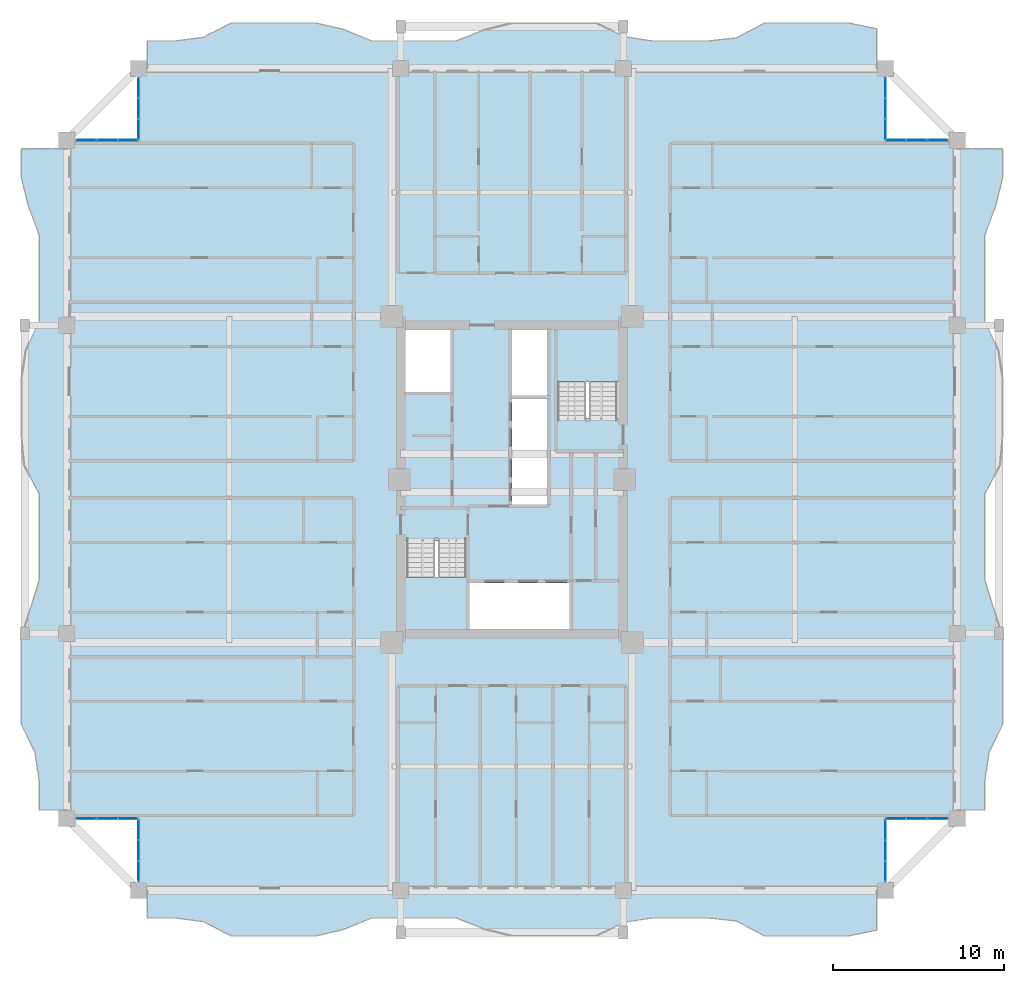
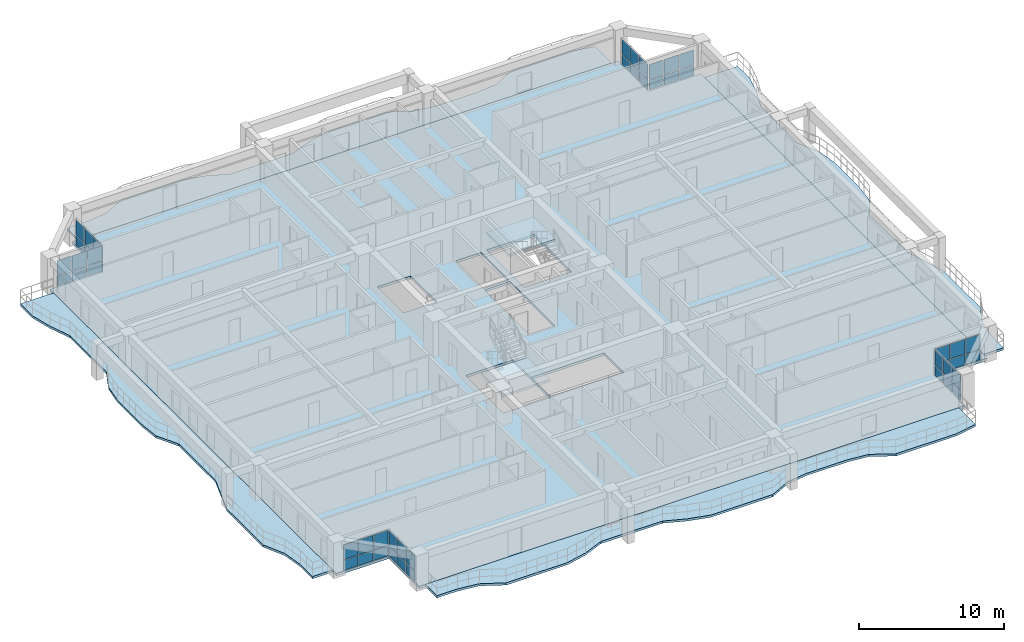
# One storey, part 13 of 25: 48 plates, 7 slabs, 10 elements without a shape of their own.
"""IFC4 building model written with IfcOpenShell, lengths in metres."""

import ifcopenshell
import ifcopenshell.guid

model = None  # the IFC model being written
_history = None  # IfcOwnerHistory: only IFC2X3 demands one
_inside = {}  # id of a spatial element -> (the spatial element, [elements in it])
_under = {}  # id of a project, library or spatial element -> (it, [spatial elements below it])
_declared = {}  # id of a project -> (the project, [libraries it declares])
_typed = {}  # id of a type object -> (the type object, [elements of that type])
_made_of = {}  # id of a material, layer set ... -> (it, [elements and type objects made of it])


def new_model(schema):
    """Start an empty IFC model of exactly this schema.

    Asked for "IFC4X3", IfcOpenShell would pick the latest addendum, in which some entities
    have other attributes; the version numbers below select the first issue.
    IFC2X3 requires an IfcOwnerHistory on every rooted entity: one is made here for all.
    """
    global model, _history
    if schema == "IFC4X3":
        model = ifcopenshell.file(schema_version=(4, 3, 0, 0))
    else:
        model = ifcopenshell.file(schema=schema)
    _inside.clear()
    _under.clear()
    _declared.clear()
    _typed.clear()
    _made_of.clear()
    _history = None
    if model.schema == "IFC2X3":
        org = make("IfcOrganization", Name="unknown")
        user = make(
            "IfcPersonAndOrganization",
            ThePerson=make("IfcPerson", FamilyName="unknown"),
            TheOrganization=org,
        )
        app = make(
            "IfcApplication",
            ApplicationDeveloper=org,
            Version="unknown",
            ApplicationFullName="unknown",
            ApplicationIdentifier="unknown",
        )
        _history = make(
            "IfcOwnerHistory",
            OwningUser=user,
            OwningApplication=app,
            ChangeAction="ADDED",
            CreationDate=0,
        )
    return model


def make(cls, **values):
    """One entity of the class cls with the attributes given. An attribute that is None is left unset."""
    return model.create_entity(
        cls, **{name: value for name, value in values.items() if value is not None}
    )


def rooted(cls, **values):
    """An entity with a GlobalId (a new one), such as an element, a storey or a relation."""
    return make(cls, GlobalId=ifcopenshell.guid.new(), OwnerHistory=_history, **values)


def si_unit(unit_type, name, prefix=None):
    """IfcSIUnit, for example si_unit("LENGTHUNIT", "METRE", prefix="MILLI")."""
    return make("IfcSIUnit", UnitType=unit_type, Prefix=prefix, Name=name)


def assignment(units):
    """IfcUnitAssignment: the units of a project."""
    return None if units is None else make("IfcUnitAssignment", Units=units)


def point(xyz):
    """IfcCartesianPoint."""
    return None if xyz is None else make("IfcCartesianPoint", Coordinates=xyz)


def direction(xyz):
    """IfcDirection."""
    return None if xyz is None else make("IfcDirection", DirectionRatios=xyz)


def frame(location, z_axis=None, x_axis=None):
    """IfcAxis2Placement3D, a coordinate frame: its origin and axes. An axis left out is left unset."""
    return make(
        "IfcAxis2Placement3D",
        Location=point(location),
        Axis=direction(z_axis),
        RefDirection=direction(x_axis),
    )


def frame_2d(location, x_axis=None):
    """IfcAxis2Placement2D, a coordinate frame in the plane: its origin and x axis."""
    return make(
        "IfcAxis2Placement2D", Location=point(location), RefDirection=direction(x_axis)
    )


def origin():
    """The frame at (0, 0, 0) with its axes left unset."""
    return frame((0.0, 0.0, 0.0))


def origin_2d():
    """The frame at (0, 0) in the plane with its x axis left unset."""
    return frame_2d((0.0, 0.0))


def place(relative_to, where):
    """IfcLocalPlacement: puts the frame where relative to a parent placement (None: the world)."""
    return make(
        "IfcLocalPlacement", PlacementRelTo=relative_to, RelativePlacement=where
    )


def context(
    kind, dimensions, precision=None, world=None, true_north=None, identifier=None
):
    """IfcGeometricRepresentationContext, for example the 3D "Model" context."""
    return make(
        "IfcGeometricRepresentationContext",
        ContextIdentifier=identifier,
        ContextType=kind,
        CoordinateSpaceDimension=dimensions,
        Precision=precision,
        WorldCoordinateSystem=world,
        TrueNorth=true_north,
    )


def subcontext(parent, identifier, kind, view, scale=None):
    """IfcGeometricRepresentationSubContext, for example "Body" below "Model"."""
    return make(
        "IfcGeometricRepresentationSubContext",
        ContextIdentifier=identifier,
        ContextType=kind,
        ParentContext=parent,
        TargetScale=scale,
        TargetView=view,
    )


def project(units=None, contexts=None):
    """IfcProject with its units and contexts."""
    return rooted(
        "IfcProject",
        Name="project",
        RepresentationContexts=contexts,
        UnitsInContext=assignment(units),
    )


def spatial(cls, under=None, at=None, **own):
    """A site, building, storey or space (cls), placed at a placement, below another one or the project."""
    s = rooted(cls, ObjectPlacement=at, **own)
    if under is not None:
        _under.setdefault(under.id(), (under, []))[1].append(s)
    return s


def polyline(points):
    """IfcPolyline through the points."""
    return make("IfcPolyline", Points=[point(p) for p in points])


def profile(cls, at=None, kind="AREA", **sizes):
    """A parametric profile (cls). Its sizes go by their IFC names, for example OverallWidth=200.0."""
    return make(cls, ProfileType=kind, Position=at, **sizes)


def rectangle(**sizes):
    """IfcRectangleProfileDef."""
    return profile("IfcRectangleProfileDef", **sizes)


def outline(outer, holes=None, kind="AREA"):
    """IfcArbitraryClosedProfileDef: a profile drawn as a closed curve; with holes, ...WithVoids."""
    if holes is None:
        return make("IfcArbitraryClosedProfileDef", ProfileType=kind, OuterCurve=outer)
    return make(
        "IfcArbitraryProfileDefWithVoids",
        ProfileType=kind,
        OuterCurve=outer,
        InnerCurves=holes,
    )


def extrude(swept, where, along, depth):
    """IfcExtrudedAreaSolid: the profile swept, set in the frame where, extruded along a direction by depth."""
    return make(
        "IfcExtrudedAreaSolid",
        SweptArea=swept,
        Position=where,
        ExtrudedDirection=direction(along),
        Depth=depth,
    )


def shape(context_of_items, identifier, shape_type, items):
    """IfcShapeRepresentation: the items that make up one representation, for example the "Body"."""
    return make(
        "IfcShapeRepresentation",
        ContextOfItems=context_of_items,
        RepresentationIdentifier=identifier,
        RepresentationType=shape_type,
        Items=items,
    )


def source(mapping_origin, context_of_items, identifier, shape_type, items):
    """IfcRepresentationMap: a shape defined once, which mapped items show again and again."""
    return make(
        "IfcRepresentationMap",
        MappingOrigin=mapping_origin,
        MappedRepresentation=shape(context_of_items, identifier, shape_type, items),
    )


def transform(
    local_origin,
    x_axis=None,
    y_axis=None,
    z_axis=None,
    scale=None,
    scale2=None,
    scale3=None,
    uniform=True,
):
    """IfcCartesianTransformationOperator3D, or its non-uniform kind. x_axis, y_axis, z_axis: its Axis1, 2, 3."""
    if uniform:
        return make(
            "IfcCartesianTransformationOperator3D",
            Axis1=direction(x_axis),
            Axis2=direction(y_axis),
            LocalOrigin=point(local_origin),
            Scale=scale,
            Axis3=direction(z_axis),
        )
    return make(
        "IfcCartesianTransformationOperator3DnonUniform",
        Axis1=direction(x_axis),
        Axis2=direction(y_axis),
        LocalOrigin=point(local_origin),
        Scale=scale,
        Axis3=direction(z_axis),
        Scale2=scale2,
        Scale3=scale3,
    )


def mapped(mapping_source, mapping_target):
    """IfcMappedItem: shows the shape of a source again, moved by a transform."""
    return make(
        "IfcMappedItem", MappingSource=mapping_source, MappingTarget=mapping_target
    )


def material(Name=None, Category=None):
    """IfcMaterial."""
    return make("IfcMaterial", Name=Name, Category=Category)


def layer(
    of_material, thickness, ventilated=None, Name=None, Category=None, Priority=None
):
    """IfcMaterialLayer: one layer of a wall or slab, of a material (None: an air gap)."""
    return make(
        "IfcMaterialLayer",
        Material=of_material,
        LayerThickness=thickness,
        IsVentilated=ventilated,
        Name=Name,
        Category=Category,
        Priority=Priority,
    )


def layer_set(layers, Name=None):
    """IfcMaterialLayerSet."""
    return make("IfcMaterialLayerSet", MaterialLayers=layers, LayerSetName=Name)


def made_of(thing, what):
    """Note that an element or type object is made of a material, layer set ...; save() writes the relation."""
    if what is not None:
        _made_of.setdefault(what.id(), (what, []))[1].append(thing)
    return thing


def type_object(cls, material=None, **own):
    """A type object (cls), such as IfcWallType, which elements share."""
    return made_of(rooted(cls, **own), material)


def element(
    cls,
    number,
    at=None,
    inside=None,
    cuts=None,
    type_object=None,
    material=None,
    context=None,
    identifier="Body",
    shape_type=None,
    held_by="IfcProductDefinitionShape",
    body=None,
    shapes=None,
    **own,
):
    """One element of the class cls, such as IfcWall. Its Tag is "e" and its number.

    at: its placement. inside: the storey or other place that contains it. cuts: it is an
    opening in that element (IfcRelVoidsElement). A single representation is given by context,
    identifier, shape_type and body (its items); several are given by shapes. held_by: the class
    of the entity that holds the representations. save() writes the other relations.
    """
    e = rooted(cls, Tag="e%d" % number, ObjectPlacement=at, **own)
    if body is not None:
        shapes = [shape(context, identifier, shape_type, body)]
    if shapes is not None:
        e.Representation = make(held_by, Representations=shapes)
    if inside is not None:
        _inside.setdefault(inside.id(), (inside, []))[1].append(e)
    if cuts is not None:
        rooted(
            "IfcRelVoidsElement", RelatingBuildingElement=cuts, RelatedOpeningElement=e
        )
    if type_object is not None:
        _typed.setdefault(type_object.id(), (type_object, []))[1].append(e)
    return made_of(e, material)


def aggregate(whole, parts):
    """IfcRelAggregates: a whole, such as a stair, and the parts it consists of."""
    return rooted("IfcRelAggregates", RelatingObject=whole, RelatedObjects=parts)


def save(model, path):
    """Write the relations noted so far, then the file.

    IfcRelAggregates (storeys below a building ...), IfcRelContainedInSpatialStructure (elements
    in a storey), IfcRelDefinesByType, IfcRelAssociatesMaterial and IfcRelDeclares: one each for
    every whole, place, type object, material and project.
    """
    for whole, parts in _under.values():
        aggregate(whole, parts)
    for where, things in _inside.values():
        rooted(
            "IfcRelContainedInSpatialStructure",
            RelatedElements=things,
            RelatingStructure=where,
        )
    for kind, things in _typed.values():
        rooted("IfcRelDefinesByType", RelatedObjects=things, RelatingType=kind)
    for what, things in _made_of.values():
        rooted("IfcRelAssociatesMaterial", RelatedObjects=things, RelatingMaterial=what)
    for by, libraries in _declared.values():
        rooted("IfcRelDeclares", RelatingContext=by, RelatedDefinitions=libraries)
    model.write(path)


model = new_model("IFC4")

# Units and contexts
model_context = context("Model", 3, precision=1e-05, world=origin(), true_north=direction((0.0, 1.0)))
body_context = subcontext(model_context, "Body", "Model", "MODEL_VIEW")
ifc_project = project(units=[si_unit("LENGTHUNIT", "METRE"), si_unit("AREAUNIT", "SQUARE_METRE"), si_unit("VOLUMEUNIT", "CUBIC_METRE"), si_unit("PLANEANGLEUNIT", "RADIAN"), si_unit("MASSUNIT", "GRAM", prefix="KILO")], contexts=[model_context])

# Site, building, storey
site_placement = place(None, origin())
site = spatial("IfcSite", under=ifc_project, at=site_placement, CompositionType="ELEMENT")
building_placement = place(site_placement, origin())
building = spatial("IfcBuilding", under=site, at=building_placement, Name="Saelheon Loggia Tower", CompositionType="ELEMENT")
storey_placement = place(building_placement, frame((0.0, 0.0, 107.85009765625)))
storey = spatial("IfcBuildingStorey", under=building, at=storey_placement, Name="L34", CompositionType="ELEMENT", Elevation=107.85009765625)

# Slabs
ifc_material_1 = material(Name="Precast Concrete C45/55", Category="concrete")
ifc_layer_1 = layer(ifc_material_1, 0.18994140625)
ifc_layer_set_1 = layer_set([ifc_layer_1], Name="Precast Concrete C45/55")
slab_type_1 = type_object("IfcSlabType", Name="Slab_Loggia_Ext_190", PredefinedType="FLOOR", material=ifc_layer_set_1)
slab_1_placement = place(storey_placement, frame((0.0, 0.0, -0.190185546875)))
element("IfcSlab", 1, at=slab_1_placement, inside=storey, type_object=slab_type_1, Name="L34 Loggia Balcony Slab S", PredefinedType="FLOOR", context=body_context, shape_type="SweptSolid", body=[
    extrude(outline(polyline([(16.699951171875, 1.39990234375), (18.33837890625, 1.39990234375), (19.976806640625, 1.185302734375), (21.615478515625, 0.35009765625), (23.25390625, 0.35009765625), (24.892333984375, 0.35009765625), (26.53076171875, 0.35009765625), (28.169189453125, 0.724609375), (29.8076171875, 1.39990234375), (31.4462890625, 1.39990234375), (33.084716796875, 1.39990234375), (34.72314453125, 1.39990234375), (36.361572265625, 0.76220703125), (38.0, 0.35009765625), (39.638427734375, 0.35009765625), (41.27685546875, 0.35009765625), (42.915283203125, 0.35009765625), (44.5537109375, 1.148681640625), (46.1923828125, 1.39990234375), (47.830810546875, 1.39990234375), (49.46923828125, 1.39990234375), (51.107666015625, 1.2216796875), (52.74609375, 0.35009765625), (54.384521484375, 0.35009765625), (56.023193359375, 0.35009765625), (57.66162109375, 0.35009765625), (59.300048828125, 0.687255859375), (59.300048828125, 3.0), (16.699951171875, 3.0), (16.699951171875, 1.39990234375)])), origin(), (0.0, 0.0, 1.0), 0.190185546875),
])
slab_2_placement = place(storey_placement, frame((0.0, 0.0, -0.190185546875)))
element("IfcSlab", 2, at=slab_2_placement, inside=storey, type_object=slab_type_1, Name="L34 Loggia Balcony Slab N", PredefinedType="FLOOR", context=body_context, shape_type="SweptSolid", body=[
    extrude(outline(polyline([(16.699951171875, 51.0), (59.300048828125, 51.0), (59.300048828125, 53.312744140625), (57.66162109375, 53.64990234375), (56.023193359375, 53.64990234375), (54.384521484375, 53.64990234375), (52.74609375, 53.64990234375), (51.107666015625, 52.7783203125), (49.46923828125, 52.60009765625), (47.830810546875, 52.60009765625), (46.1923828125, 52.60009765625), (44.5537109375, 52.851318359375), (42.915283203125, 53.64990234375), (41.27685546875, 53.64990234375), (39.638427734375, 53.64990234375), (38.0, 53.64990234375), (36.361572265625, 53.23779296875), (34.72314453125, 52.60009765625), (33.084716796875, 52.60009765625), (31.4462890625, 52.60009765625), (29.8076171875, 52.60009765625), (28.169189453125, 53.275390625), (26.53076171875, 53.64990234375), (24.892333984375, 53.64990234375), (23.25390625, 53.64990234375), (21.615478515625, 53.64990234375), (19.976806640625, 52.814697265625), (18.33837890625, 52.60009765625), (16.699951171875, 52.60009765625), (16.699951171875, 51.0)])), origin(), (0.0, 0.0, 1.0), 0.190185546875),
])
slab_3_placement = place(storey_placement, frame((0.0, 0.0, -0.190185546875)))
element("IfcSlab", 3, at=slab_3_placement, inside=storey, type_object=slab_type_1, Name="L34 Loggia Balcony Slab E", PredefinedType="FLOOR", context=body_context, shape_type="SweptSolid", body=[
    extrude(outline(polyline([(64.0, 7.699951171875), (65.60009765625, 7.699951171875), (65.60009765625, 9.37841796875), (65.856689453125, 11.056396484375), (66.64990234375, 12.73486328125), (66.64990234375, 14.4130859375), (66.64990234375, 16.09130859375), (66.64990234375, 17.76953125), (66.1240234375, 19.44775390625), (65.60009765625, 21.126220703125), (65.60009765625, 22.80419921875), (65.60009765625, 24.482666015625), (65.601318359375, 26.160888671875), (66.49365234375, 27.839111328125), (66.64990234375, 29.517333984375), (66.64990234375, 31.19580078125), (66.64990234375, 32.873779296875), (66.39208984375, 34.55224609375), (65.60009765625, 36.23046875), (65.60009765625, 37.90869140625), (65.60009765625, 39.5869140625), (65.60009765625, 41.26513671875), (66.22802734375, 42.943603515625), (66.64990234375, 44.62158203125), (66.64990234375, 46.300048828125), (64.0, 46.300048828125), (64.0, 7.699951171875)])), origin(), (0.0, 0.0, 1.0), 0.190185546875),
])
slab_4_placement = place(storey_placement, frame((0.0, 0.0, -0.190185546875)))
element("IfcSlab", 4, at=slab_4_placement, inside=storey, type_object=slab_type_1, Name="L34 Loggia Balcony Slab W", PredefinedType="FLOOR", context=body_context, shape_type="SweptSolid", body=[
    extrude(outline(polyline([(12.0, 7.699951171875), (12.0, 46.300048828125), (9.35009765625, 46.300048828125), (9.35009765625, 44.62158203125), (9.77197265625, 42.943603515625), (10.39990234375, 41.26513671875), (10.39990234375, 39.5869140625), (10.39990234375, 37.90869140625), (10.39990234375, 36.23046875), (9.60791015625, 34.55224609375), (9.35009765625, 32.873779296875), (9.35009765625, 31.19580078125), (9.35009765625, 29.517333984375), (9.50634765625, 27.839111328125), (10.398681640625, 26.160888671875), (10.39990234375, 24.482666015625), (10.39990234375, 22.80419921875), (10.39990234375, 21.126220703125), (9.8759765625, 19.44775390625), (9.35009765625, 17.76953125), (9.35009765625, 16.09130859375), (9.35009765625, 14.4130859375), (9.35009765625, 12.73486328125), (10.143310546875, 11.056396484375), (10.39990234375, 9.37841796875), (10.39990234375, 7.699951171875), (12.0, 7.699951171875)])), origin(), (0.0, 0.0, 1.0), 0.190185546875),
])

# Stair, slab
ifc_material_2 = material(Name="Concrete C40/50", Category="concrete")
stair_type = type_object("IfcStairType", Name="Stair_Escape_Core", PredefinedType="HALF_TURN_STAIR", material=ifc_material_2)
stair_1_placement = place(storey_placement, origin())
stair_1 = element("IfcStair", 5, at=stair_1_placement, inside=storey, type_object=stair_type, Name="L34 Special Escape Stair ST1", PredefinedType="HALF_TURN_STAIR")
ifc_layer_2 = layer(ifc_material_2, 0.199951171875)
ifc_layer_set_2 = layer_set([ifc_layer_2], Name="Concrete C40/50")
slab_type_2 = type_object("IfcSlabType", Name="Slab_StairLanding_ST1", PredefinedType="LANDING", material=ifc_layer_set_2)
slab_5_placement = place(storey_placement, frame((0.0, 0.0, 1.2998046875)))
slab_5 = element("IfcSlab", 6, at=slab_5_placement, type_object=slab_type_2, Name="ST1 landing 1", PredefinedType="LANDING", context=body_context, shape_type="SweptSolid", body=[
    extrude(outline(polyline([(31.7099609375, 21.31005859375), (31.7099609375, 18.2099609375), (35.469970703125, 18.2099609375), (35.469970703125, 21.31005859375), (31.7099609375, 21.31005859375)])), origin(), (0.0, 0.0, 1.0), 0.2001953125),
])
aggregate(stair_1, [slab_5])

stair_2_placement = place(storey_placement, origin())
stair_2 = element("IfcStair", 7, at=stair_2_placement, inside=storey, type_object=stair_type, Name="L34 Special Escape Stair ST2", PredefinedType="HALF_TURN_STAIR")
ifc_layer_3 = layer(ifc_material_2, 0.199951171875)
ifc_layer_set_3 = layer_set([ifc_layer_3], Name="Concrete C40/50")
slab_type_3 = type_object("IfcSlabType", Name="Slab_StairLanding_ST2", PredefinedType="LANDING", material=ifc_layer_set_3)
slab_6_placement = place(storey_placement, frame((0.0, 0.0, 1.2998046875)))
slab_6 = element("IfcSlab", 8, at=slab_6_placement, type_object=slab_type_3, Name="ST2 landing 1", PredefinedType="LANDING", context=body_context, shape_type="SweptSolid", body=[
    extrude(outline(polyline([(44.2900390625, 32.68994140625), (44.2900390625, 35.7900390625), (40.530029296875, 35.7900390625), (40.530029296875, 32.68994140625), (44.2900390625, 32.68994140625)])), origin(), (0.0, 0.0, 1.0), 0.2001953125),
])
aggregate(stair_2, [slab_6])

# Slab
ifc_layer_4 = layer(ifc_material_2, 0.2099609375)
ifc_layer_set_4 = layer_set([ifc_layer_4], Name="Concrete C40/50")
slab_type_4 = type_object("IfcSlabType", Name="Slab_Tower_210", PredefinedType="FLOOR", material=ifc_layer_set_4)
slab_7_placement = place(storey_placement, frame((0.0, 0.0, -0.210205078125)))
element("IfcSlab", 9, at=slab_7_placement, inside=storey, type_object=slab_type_4, Name="L34 Tower Floor Slab", PredefinedType="FLOOR", context=body_context, shape_type="SweptSolid", body=[
    extrude(outline(polyline([(16.199951171875, 3.0), (59.800048828125, 3.0), (59.800048828125, 7.199951171875), (64.0, 7.199951171875), (64.0, 46.800048828125), (59.800048828125, 46.800048828125), (59.800048828125, 51.0), (16.199951171875, 51.0), (16.199951171875, 46.800048828125), (12.0, 46.800048828125), (12.0, 7.199951171875), (16.199951171875, 7.199951171875), (16.199951171875, 3.0)]), holes=[polyline([(31.699951171875, 23.409912109375), (31.699951171875, 18.199951171875), (35.47998046875, 18.199951171875), (35.47998046875, 23.409912109375), (31.699951171875, 23.409912109375)]), polyline([(44.300048828125, 30.590087890625), (44.300048828125, 35.800048828125), (40.52001953125, 35.800048828125), (40.52001953125, 30.590087890625), (44.300048828125, 30.590087890625)]), polyline([(35.530029296875, 18.27490234375), (41.35009765625, 18.27490234375), (41.35009765625, 20.9599609375), (35.530029296875, 20.9599609375), (35.530029296875, 18.27490234375)]), polyline([(31.77490234375, 32.1201171875), (34.419921875, 32.1201171875), (34.419921875, 35.72509765625), (31.77490234375, 35.72509765625), (31.77490234375, 32.1201171875)]), polyline([(38.0, 31.89990234375), (40.050048828125, 31.89990234375), (40.050048828125, 35.72509765625), (38.0, 35.72509765625), (38.0, 31.89990234375)]), polyline([(38.0, 25.5400390625), (40.050048828125, 25.5400390625), (40.050048828125, 31.699951171875), (38.0, 31.699951171875), (38.0, 25.5400390625)])]), origin(), (0.0, 0.0, 1.0), 0.210205078125),
])

# Curtain wall, plates
ifc_material_3 = material(Name="Thermal-Break Aluminium and Triple Low-E Glass", Category="aluminium")
ifc_layer_5 = layer(ifc_material_3, 0.159912109375)
ifc_layer_set_5 = layer_set([ifc_layer_5], Name="Thermal-Break Aluminium and Triple Low-E Glass")
curtain_wall_type = type_object("IfcCurtainWallType", Name="CW_TowerLoggiaLow", PredefinedType="NOTDEFINED", material=ifc_layer_set_5)
curtain_wall_1_placement = place(storey_placement, origin())
curtain_wall_1 = element("IfcCurtainWall", 10, at=curtain_wall_1_placement, inside=storey, type_object=curtain_wall_type, Name="L34 Corner Notch Glazing SW1", PredefinedType="NOTDEFINED")
ifc_material_4 = material(Name="Triple Low-E Laminated Glazing", Category="glass")
ifc_layer_6 = layer(ifc_material_4, 0.0419921875)
ifc_layer_set_6 = layer_set([ifc_layer_6], Name="Triple Low-E Laminated Glazing")
plate_type = type_object("IfcPlateType", Name="CW_TowerLoggiaLow_Panel", PredefinedType="CURTAIN_PANEL", material=ifc_layer_set_6)
shared_shape_1 = source(origin(), body_context, "Body", "SweptSolid", [
    extrude(rectangle(XDim=1.130859375, YDim=0.0419921875, at=origin_2d()), origin(), (0.0, 0.0, 1.0), 0.8525390625),
])
plate_1_placement = place(storey_placement, frame((16.199951171875, 4.1455078125, 0.06494140625), z_axis=(0.0, 0.0, 1.0), x_axis=(0.0, 1.0, 0.0)))
plate_1 = element("IfcPlate", 11, at=plate_1_placement, type_object=plate_type, Name="CW3 panel 1.1", PredefinedType="CURTAIN_PANEL", context=body_context, shape_type="MappedRepresentation", body=[
    mapped(shared_shape_1, transform((0.0, 0.0, 0.0), scale=1.0)),
])
plate_2_placement = place(storey_placement, frame((16.199951171875, 6.569580078125, 0.06494140625), z_axis=(0.0, 0.0, 1.0), x_axis=(0.0, 1.0, 0.0)))
plate_2 = element("IfcPlate", 12, at=plate_2_placement, type_object=plate_type, Name="CW3 panel 3.1", PredefinedType="CURTAIN_PANEL", context=body_context, shape_type="MappedRepresentation", body=[
    mapped(shared_shape_1, transform((0.0, 0.0, 0.0), scale=1.0)),
])

curtain_wall_2_placement = place(storey_placement, origin())
curtain_wall_2 = element("IfcCurtainWall", 13, at=curtain_wall_2_placement, inside=storey, type_object=curtain_wall_type, Name="L34 Corner Notch Glazing SW2", PredefinedType="NOTDEFINED")
plate_3_placement = place(storey_placement, frame((13.1455078125, 7.199951171875, 0.06494140625), z_axis=(0.0, 0.0, 1.0), x_axis=(1.0, 0.0, 0.0)))
plate_3 = element("IfcPlate", 14, at=plate_3_placement, type_object=plate_type, Name="CW3 panel 1.1", PredefinedType="CURTAIN_PANEL", context=body_context, shape_type="MappedRepresentation", body=[
    mapped(shared_shape_1, transform((0.0, 0.0, 0.0), scale=1.0)),
])
plate_4_placement = place(storey_placement, frame((15.569580078125, 7.199951171875, 0.06494140625), z_axis=(0.0, 0.0, 1.0), x_axis=(1.0, 0.0, 0.0)))
plate_4 = element("IfcPlate", 15, at=plate_4_placement, type_object=plate_type, Name="CW3 panel 3.1", PredefinedType="CURTAIN_PANEL", context=body_context, shape_type="MappedRepresentation", body=[
    mapped(shared_shape_1, transform((0.0, 0.0, 0.0), scale=1.0)),
])

curtain_wall_3_placement = place(storey_placement, origin())
curtain_wall_3 = element("IfcCurtainWall", 16, at=curtain_wall_3_placement, inside=storey, type_object=curtain_wall_type, Name="L34 Corner Notch Glazing SE1", PredefinedType="NOTDEFINED")
plate_5_placement = place(storey_placement, frame((59.800048828125, 4.1455078125, 0.06494140625), z_axis=(0.0, 0.0, 1.0), x_axis=(0.0, 1.0, 0.0)))
plate_5 = element("IfcPlate", 17, at=plate_5_placement, type_object=plate_type, Name="CW3 panel 1.1", PredefinedType="CURTAIN_PANEL", context=body_context, shape_type="MappedRepresentation", body=[
    mapped(shared_shape_1, transform((0.0, 0.0, 0.0), scale=1.0)),
])
plate_6_placement = place(storey_placement, frame((59.800048828125, 6.569580078125, 0.06494140625), z_axis=(0.0, 0.0, 1.0), x_axis=(0.0, 1.0, 0.0)))
plate_6 = element("IfcPlate", 18, at=plate_6_placement, type_object=plate_type, Name="CW3 panel 3.1", PredefinedType="CURTAIN_PANEL", context=body_context, shape_type="MappedRepresentation", body=[
    mapped(shared_shape_1, transform((0.0, 0.0, 0.0), scale=1.0)),
])

curtain_wall_4_placement = place(storey_placement, origin())
curtain_wall_4 = element("IfcCurtainWall", 19, at=curtain_wall_4_placement, inside=storey, type_object=curtain_wall_type, Name="L34 Corner Notch Glazing SE2", PredefinedType="NOTDEFINED")
plate_7_placement = place(storey_placement, frame((60.430419921875, 7.199951171875, 0.06494140625), z_axis=(0.0, 0.0, 1.0), x_axis=(1.0, 0.0, 0.0)))
plate_7 = element("IfcPlate", 20, at=plate_7_placement, type_object=plate_type, Name="CW3 panel 1.1", PredefinedType="CURTAIN_PANEL", context=body_context, shape_type="MappedRepresentation", body=[
    mapped(shared_shape_1, transform((0.0, 0.0, 0.0), scale=1.0)),
])
plate_8_placement = place(storey_placement, frame((62.8544921875, 7.199951171875, 0.06494140625), z_axis=(0.0, 0.0, 1.0), x_axis=(1.0, 0.0, 0.0)))
plate_8 = element("IfcPlate", 21, at=plate_8_placement, type_object=plate_type, Name="CW3 panel 3.1", PredefinedType="CURTAIN_PANEL", context=body_context, shape_type="MappedRepresentation", body=[
    mapped(shared_shape_1, transform((0.0, 0.0, 0.0), scale=1.0)),
])

curtain_wall_5_placement = place(storey_placement, origin())
curtain_wall_5 = element("IfcCurtainWall", 22, at=curtain_wall_5_placement, inside=storey, type_object=curtain_wall_type, Name="L34 Corner Notch Glazing NW1", PredefinedType="NOTDEFINED")
plate_9_placement = place(storey_placement, frame((16.199951171875, 47.430419921875, 0.06494140625), z_axis=(0.0, 0.0, 1.0), x_axis=(0.0, 1.0, 0.0)))
plate_9 = element("IfcPlate", 23, at=plate_9_placement, type_object=plate_type, Name="CW3 panel 1.1", PredefinedType="CURTAIN_PANEL", context=body_context, shape_type="MappedRepresentation", body=[
    mapped(shared_shape_1, transform((0.0, 0.0, 0.0), scale=1.0)),
])
plate_10_placement = place(storey_placement, frame((16.199951171875, 49.8544921875, 0.06494140625), z_axis=(0.0, 0.0, 1.0), x_axis=(0.0, 1.0, 0.0)))
plate_10 = element("IfcPlate", 24, at=plate_10_placement, type_object=plate_type, Name="CW3 panel 3.1", PredefinedType="CURTAIN_PANEL", context=body_context, shape_type="MappedRepresentation", body=[
    mapped(shared_shape_1, transform((0.0, 0.0, 0.0), scale=1.0)),
])

curtain_wall_6_placement = place(storey_placement, origin())
curtain_wall_6 = element("IfcCurtainWall", 25, at=curtain_wall_6_placement, inside=storey, type_object=curtain_wall_type, Name="L34 Corner Notch Glazing NW2", PredefinedType="NOTDEFINED")
plate_11_placement = place(storey_placement, frame((13.1455078125, 46.800048828125, 0.06494140625), z_axis=(0.0, 0.0, 1.0), x_axis=(1.0, 0.0, 0.0)))
plate_11 = element("IfcPlate", 26, at=plate_11_placement, type_object=plate_type, Name="CW3 panel 1.1", PredefinedType="CURTAIN_PANEL", context=body_context, shape_type="MappedRepresentation", body=[
    mapped(shared_shape_1, transform((0.0, 0.0, 0.0), scale=1.0)),
])
plate_12_placement = place(storey_placement, frame((15.569580078125, 46.800048828125, 0.06494140625), z_axis=(0.0, 0.0, 1.0), x_axis=(1.0, 0.0, 0.0)))
plate_12 = element("IfcPlate", 27, at=plate_12_placement, type_object=plate_type, Name="CW3 panel 3.1", PredefinedType="CURTAIN_PANEL", context=body_context, shape_type="MappedRepresentation", body=[
    mapped(shared_shape_1, transform((0.0, 0.0, 0.0), scale=1.0)),
])

curtain_wall_7_placement = place(storey_placement, origin())
curtain_wall_7 = element("IfcCurtainWall", 28, at=curtain_wall_7_placement, inside=storey, type_object=curtain_wall_type, Name="L34 Corner Notch Glazing NE1", PredefinedType="NOTDEFINED")
plate_13_placement = place(storey_placement, frame((59.800048828125, 47.430419921875, 0.06494140625), z_axis=(0.0, 0.0, 1.0), x_axis=(0.0, 1.0, 0.0)))
plate_13 = element("IfcPlate", 29, at=plate_13_placement, type_object=plate_type, Name="CW3 panel 1.1", PredefinedType="CURTAIN_PANEL", context=body_context, shape_type="MappedRepresentation", body=[
    mapped(shared_shape_1, transform((0.0, 0.0, 0.0), scale=1.0)),
])
plate_14_placement = place(storey_placement, frame((59.800048828125, 49.8544921875, 0.06494140625), z_axis=(0.0, 0.0, 1.0), x_axis=(0.0, 1.0, 0.0)))
plate_14 = element("IfcPlate", 30, at=plate_14_placement, type_object=plate_type, Name="CW3 panel 3.1", PredefinedType="CURTAIN_PANEL", context=body_context, shape_type="MappedRepresentation", body=[
    mapped(shared_shape_1, transform((0.0, 0.0, 0.0), scale=1.0)),
])

curtain_wall_8_placement = place(storey_placement, origin())
curtain_wall_8 = element("IfcCurtainWall", 31, at=curtain_wall_8_placement, inside=storey, type_object=curtain_wall_type, Name="L34 Corner Notch Glazing NE2", PredefinedType="NOTDEFINED")
plate_15_placement = place(storey_placement, frame((60.430419921875, 46.800048828125, 0.06494140625), z_axis=(0.0, 0.0, 1.0), x_axis=(1.0, 0.0, 0.0)))
plate_15 = element("IfcPlate", 32, at=plate_15_placement, type_object=plate_type, Name="CW3 panel 1.1", PredefinedType="CURTAIN_PANEL", context=body_context, shape_type="MappedRepresentation", body=[
    mapped(shared_shape_1, transform((0.0, 0.0, 0.0), scale=1.0)),
])
plate_16_placement = place(storey_placement, frame((62.8544921875, 46.800048828125, 0.06494140625), z_axis=(0.0, 0.0, 1.0), x_axis=(1.0, 0.0, 0.0)))
plate_16 = element("IfcPlate", 33, at=plate_16_placement, type_object=plate_type, Name="CW3 panel 3.1", PredefinedType="CURTAIN_PANEL", context=body_context, shape_type="MappedRepresentation", body=[
    mapped(shared_shape_1, transform((0.0, 0.0, 0.0), scale=1.0)),
])

# Plate
shared_shape_2 = source(origin(), body_context, "Body", "SweptSolid", [
    extrude(rectangle(XDim=1.130859375, YDim=0.0419921875, at=origin_2d()), origin(), (0.0, 0.0, 1.0), 1.232421875),
])
plate_17_placement = place(storey_placement, frame((16.199951171875, 4.1455078125, 0.982421875), z_axis=(0.0, 0.0, 1.0), x_axis=(0.0, 1.0, 0.0)))
plate_17 = element("IfcPlate", 34, at=plate_17_placement, type_object=plate_type, Name="CW3 panel 1.2", PredefinedType="CURTAIN_PANEL", context=body_context, shape_type="MappedRepresentation", body=[
    mapped(shared_shape_2, transform((0.0, 0.0, 0.0), scale=1.0)),
])

plate_18_placement = place(storey_placement, frame((16.199951171875, 6.569580078125, 0.982421875), z_axis=(0.0, 0.0, 1.0), x_axis=(0.0, 1.0, 0.0)))
plate_18 = element("IfcPlate", 35, at=plate_18_placement, type_object=plate_type, Name="CW3 panel 3.2", PredefinedType="CURTAIN_PANEL", context=body_context, shape_type="MappedRepresentation", body=[
    mapped(shared_shape_2, transform((0.0, 0.0, 0.0), scale=1.0)),
])

plate_19_placement = place(storey_placement, frame((13.1455078125, 7.199951171875, 0.982421875), z_axis=(0.0, 0.0, 1.0), x_axis=(1.0, 0.0, 0.0)))
plate_19 = element("IfcPlate", 36, at=plate_19_placement, type_object=plate_type, Name="CW3 panel 1.2", PredefinedType="CURTAIN_PANEL", context=body_context, shape_type="MappedRepresentation", body=[
    mapped(shared_shape_2, transform((0.0, 0.0, 0.0), scale=1.0)),
])

plate_20_placement = place(storey_placement, frame((15.569580078125, 7.199951171875, 0.982421875), z_axis=(0.0, 0.0, 1.0), x_axis=(1.0, 0.0, 0.0)))
plate_20 = element("IfcPlate", 37, at=plate_20_placement, type_object=plate_type, Name="CW3 panel 3.2", PredefinedType="CURTAIN_PANEL", context=body_context, shape_type="MappedRepresentation", body=[
    mapped(shared_shape_2, transform((0.0, 0.0, 0.0), scale=1.0)),
])

plate_21_placement = place(storey_placement, frame((59.800048828125, 4.1455078125, 0.982421875), z_axis=(0.0, 0.0, 1.0), x_axis=(0.0, 1.0, 0.0)))
plate_21 = element("IfcPlate", 38, at=plate_21_placement, type_object=plate_type, Name="CW3 panel 1.2", PredefinedType="CURTAIN_PANEL", context=body_context, shape_type="MappedRepresentation", body=[
    mapped(shared_shape_2, transform((0.0, 0.0, 0.0), scale=1.0)),
])

plate_22_placement = place(storey_placement, frame((59.800048828125, 6.569580078125, 0.982421875), z_axis=(0.0, 0.0, 1.0), x_axis=(0.0, 1.0, 0.0)))
plate_22 = element("IfcPlate", 39, at=plate_22_placement, type_object=plate_type, Name="CW3 panel 3.2", PredefinedType="CURTAIN_PANEL", context=body_context, shape_type="MappedRepresentation", body=[
    mapped(shared_shape_2, transform((0.0, 0.0, 0.0), scale=1.0)),
])

plate_23_placement = place(storey_placement, frame((60.430419921875, 7.199951171875, 0.982421875), z_axis=(0.0, 0.0, 1.0), x_axis=(1.0, 0.0, 0.0)))
plate_23 = element("IfcPlate", 40, at=plate_23_placement, type_object=plate_type, Name="CW3 panel 1.2", PredefinedType="CURTAIN_PANEL", context=body_context, shape_type="MappedRepresentation", body=[
    mapped(shared_shape_2, transform((0.0, 0.0, 0.0), scale=1.0)),
])

plate_24_placement = place(storey_placement, frame((62.8544921875, 7.199951171875, 0.982421875), z_axis=(0.0, 0.0, 1.0), x_axis=(1.0, 0.0, 0.0)))
plate_24 = element("IfcPlate", 41, at=plate_24_placement, type_object=plate_type, Name="CW3 panel 3.2", PredefinedType="CURTAIN_PANEL", context=body_context, shape_type="MappedRepresentation", body=[
    mapped(shared_shape_2, transform((0.0, 0.0, 0.0), scale=1.0)),
])

plate_25_placement = place(storey_placement, frame((16.199951171875, 47.430419921875, 0.982421875), z_axis=(0.0, 0.0, 1.0), x_axis=(0.0, 1.0, 0.0)))
plate_25 = element("IfcPlate", 42, at=plate_25_placement, type_object=plate_type, Name="CW3 panel 1.2", PredefinedType="CURTAIN_PANEL", context=body_context, shape_type="MappedRepresentation", body=[
    mapped(shared_shape_2, transform((0.0, 0.0, 0.0), scale=1.0)),
])

plate_26_placement = place(storey_placement, frame((16.199951171875, 49.8544921875, 0.982421875), z_axis=(0.0, 0.0, 1.0), x_axis=(0.0, 1.0, 0.0)))
plate_26 = element("IfcPlate", 43, at=plate_26_placement, type_object=plate_type, Name="CW3 panel 3.2", PredefinedType="CURTAIN_PANEL", context=body_context, shape_type="MappedRepresentation", body=[
    mapped(shared_shape_2, transform((0.0, 0.0, 0.0), scale=1.0)),
])

plate_27_placement = place(storey_placement, frame((13.1455078125, 46.800048828125, 0.982421875), z_axis=(0.0, 0.0, 1.0), x_axis=(1.0, 0.0, 0.0)))
plate_27 = element("IfcPlate", 44, at=plate_27_placement, type_object=plate_type, Name="CW3 panel 1.2", PredefinedType="CURTAIN_PANEL", context=body_context, shape_type="MappedRepresentation", body=[
    mapped(shared_shape_2, transform((0.0, 0.0, 0.0), scale=1.0)),
])

plate_28_placement = place(storey_placement, frame((15.569580078125, 46.800048828125, 0.982421875), z_axis=(0.0, 0.0, 1.0), x_axis=(1.0, 0.0, 0.0)))
plate_28 = element("IfcPlate", 45, at=plate_28_placement, type_object=plate_type, Name="CW3 panel 3.2", PredefinedType="CURTAIN_PANEL", context=body_context, shape_type="MappedRepresentation", body=[
    mapped(shared_shape_2, transform((0.0, 0.0, 0.0), scale=1.0)),
])

plate_29_placement = place(storey_placement, frame((59.800048828125, 47.430419921875, 0.982421875), z_axis=(0.0, 0.0, 1.0), x_axis=(0.0, 1.0, 0.0)))
plate_29 = element("IfcPlate", 46, at=plate_29_placement, type_object=plate_type, Name="CW3 panel 1.2", PredefinedType="CURTAIN_PANEL", context=body_context, shape_type="MappedRepresentation", body=[
    mapped(shared_shape_2, transform((0.0, 0.0, 0.0), scale=1.0)),
])

plate_30_placement = place(storey_placement, frame((59.800048828125, 49.8544921875, 0.982421875), z_axis=(0.0, 0.0, 1.0), x_axis=(0.0, 1.0, 0.0)))
plate_30 = element("IfcPlate", 47, at=plate_30_placement, type_object=plate_type, Name="CW3 panel 3.2", PredefinedType="CURTAIN_PANEL", context=body_context, shape_type="MappedRepresentation", body=[
    mapped(shared_shape_2, transform((0.0, 0.0, 0.0), scale=1.0)),
])

plate_31_placement = place(storey_placement, frame((60.430419921875, 46.800048828125, 0.982421875), z_axis=(0.0, 0.0, 1.0), x_axis=(1.0, 0.0, 0.0)))
plate_31 = element("IfcPlate", 48, at=plate_31_placement, type_object=plate_type, Name="CW3 panel 1.2", PredefinedType="CURTAIN_PANEL", context=body_context, shape_type="MappedRepresentation", body=[
    mapped(shared_shape_2, transform((0.0, 0.0, 0.0), scale=1.0)),
])

plate_32_placement = place(storey_placement, frame((62.8544921875, 46.800048828125, 0.982421875), z_axis=(0.0, 0.0, 1.0), x_axis=(1.0, 0.0, 0.0)))
plate_32 = element("IfcPlate", 49, at=plate_32_placement, type_object=plate_type, Name="CW3 panel 3.2", PredefinedType="CURTAIN_PANEL", context=body_context, shape_type="MappedRepresentation", body=[
    mapped(shared_shape_2, transform((0.0, 0.0, 0.0), scale=1.0)),
])

shared_shape_3 = source(origin(), body_context, "Body", "SweptSolid", [
    extrude(rectangle(XDim=1.163330078125, YDim=0.0419921875, at=origin_2d()), origin(), (0.0, 0.0, 1.0), 0.8525390625),
])
plate_33_placement = place(storey_placement, frame((16.199951171875, 5.357421875, 0.06494140625), z_axis=(0.0, 0.0, 1.0), x_axis=(0.0, 1.0, 0.0)))
plate_33 = element("IfcPlate", 50, at=plate_33_placement, type_object=plate_type, Name="CW3 panel 2.1", PredefinedType="CURTAIN_PANEL", context=body_context, shape_type="MappedRepresentation", body=[
    mapped(shared_shape_3, transform((0.0, 0.0, 0.0), scale=1.0)),
])

plate_34_placement = place(storey_placement, frame((14.357421875, 7.199951171875, 0.06494140625), z_axis=(0.0, 0.0, 1.0), x_axis=(1.0, 0.0, 0.0)))
plate_34 = element("IfcPlate", 51, at=plate_34_placement, type_object=plate_type, Name="CW3 panel 2.1", PredefinedType="CURTAIN_PANEL", context=body_context, shape_type="MappedRepresentation", body=[
    mapped(shared_shape_3, transform((0.0, 0.0, 0.0), scale=1.0)),
])

plate_35_placement = place(storey_placement, frame((59.800048828125, 5.357421875, 0.06494140625), z_axis=(0.0, 0.0, 1.0), x_axis=(0.0, 1.0, 0.0)))
plate_35 = element("IfcPlate", 52, at=plate_35_placement, type_object=plate_type, Name="CW3 panel 2.1", PredefinedType="CURTAIN_PANEL", context=body_context, shape_type="MappedRepresentation", body=[
    mapped(shared_shape_3, transform((0.0, 0.0, 0.0), scale=1.0)),
])

plate_36_placement = place(storey_placement, frame((61.642578125, 7.199951171875, 0.06494140625), z_axis=(0.0, 0.0, 1.0), x_axis=(1.0, 0.0, 0.0)))
plate_36 = element("IfcPlate", 53, at=plate_36_placement, type_object=plate_type, Name="CW3 panel 2.1", PredefinedType="CURTAIN_PANEL", context=body_context, shape_type="MappedRepresentation", body=[
    mapped(shared_shape_3, transform((0.0, 0.0, 0.0), scale=1.0)),
])

plate_37_placement = place(storey_placement, frame((16.199951171875, 48.642578125, 0.06494140625), z_axis=(0.0, 0.0, 1.0), x_axis=(0.0, 1.0, 0.0)))
plate_37 = element("IfcPlate", 54, at=plate_37_placement, type_object=plate_type, Name="CW3 panel 2.1", PredefinedType="CURTAIN_PANEL", context=body_context, shape_type="MappedRepresentation", body=[
    mapped(shared_shape_3, transform((0.0, 0.0, 0.0), scale=1.0)),
])

plate_38_placement = place(storey_placement, frame((14.357421875, 46.800048828125, 0.06494140625), z_axis=(0.0, 0.0, 1.0), x_axis=(1.0, 0.0, 0.0)))
plate_38 = element("IfcPlate", 55, at=plate_38_placement, type_object=plate_type, Name="CW3 panel 2.1", PredefinedType="CURTAIN_PANEL", context=body_context, shape_type="MappedRepresentation", body=[
    mapped(shared_shape_3, transform((0.0, 0.0, 0.0), scale=1.0)),
])

plate_39_placement = place(storey_placement, frame((59.800048828125, 48.642578125, 0.06494140625), z_axis=(0.0, 0.0, 1.0), x_axis=(0.0, 1.0, 0.0)))
plate_39 = element("IfcPlate", 56, at=plate_39_placement, type_object=plate_type, Name="CW3 panel 2.1", PredefinedType="CURTAIN_PANEL", context=body_context, shape_type="MappedRepresentation", body=[
    mapped(shared_shape_3, transform((0.0, 0.0, 0.0), scale=1.0)),
])

plate_40_placement = place(storey_placement, frame((61.642578125, 46.800048828125, 0.06494140625), z_axis=(0.0, 0.0, 1.0), x_axis=(1.0, 0.0, 0.0)))
plate_40 = element("IfcPlate", 57, at=plate_40_placement, type_object=plate_type, Name="CW3 panel 2.1", PredefinedType="CURTAIN_PANEL", context=body_context, shape_type="MappedRepresentation", body=[
    mapped(shared_shape_3, transform((0.0, 0.0, 0.0), scale=1.0)),
])

shared_shape_4 = source(origin(), body_context, "Body", "SweptSolid", [
    extrude(rectangle(XDim=1.163330078125, YDim=0.0419921875, at=origin_2d()), origin(), (0.0, 0.0, 1.0), 1.232421875),
])
plate_41_placement = place(storey_placement, frame((16.199951171875, 5.357421875, 0.982421875), z_axis=(0.0, 0.0, 1.0), x_axis=(0.0, 1.0, 0.0)))
plate_41 = element("IfcPlate", 58, at=plate_41_placement, type_object=plate_type, Name="CW3 panel 2.2", PredefinedType="CURTAIN_PANEL", context=body_context, shape_type="MappedRepresentation", body=[
    mapped(shared_shape_4, transform((0.0, 0.0, 0.0), scale=1.0)),
])

aggregate(curtain_wall_1, [plate_1, plate_17, plate_33, plate_41, plate_2, plate_18])

plate_42_placement = place(storey_placement, frame((14.357421875, 7.199951171875, 0.982421875), z_axis=(0.0, 0.0, 1.0), x_axis=(1.0, 0.0, 0.0)))
plate_42 = element("IfcPlate", 59, at=plate_42_placement, type_object=plate_type, Name="CW3 panel 2.2", PredefinedType="CURTAIN_PANEL", context=body_context, shape_type="MappedRepresentation", body=[
    mapped(shared_shape_4, transform((0.0, 0.0, 0.0), scale=1.0)),
])

aggregate(curtain_wall_2, [plate_3, plate_19, plate_34, plate_42, plate_4, plate_20])

plate_43_placement = place(storey_placement, frame((59.800048828125, 5.357421875, 0.982421875), z_axis=(0.0, 0.0, 1.0), x_axis=(0.0, 1.0, 0.0)))
plate_43 = element("IfcPlate", 60, at=plate_43_placement, type_object=plate_type, Name="CW3 panel 2.2", PredefinedType="CURTAIN_PANEL", context=body_context, shape_type="MappedRepresentation", body=[
    mapped(shared_shape_4, transform((0.0, 0.0, 0.0), scale=1.0)),
])

aggregate(curtain_wall_3, [plate_5, plate_21, plate_35, plate_43, plate_6, plate_22])

plate_44_placement = place(storey_placement, frame((61.642578125, 7.199951171875, 0.982421875), z_axis=(0.0, 0.0, 1.0), x_axis=(1.0, 0.0, 0.0)))
plate_44 = element("IfcPlate", 61, at=plate_44_placement, type_object=plate_type, Name="CW3 panel 2.2", PredefinedType="CURTAIN_PANEL", context=body_context, shape_type="MappedRepresentation", body=[
    mapped(shared_shape_4, transform((0.0, 0.0, 0.0), scale=1.0)),
])

aggregate(curtain_wall_4, [plate_7, plate_23, plate_36, plate_44, plate_8, plate_24])

plate_45_placement = place(storey_placement, frame((16.199951171875, 48.642578125, 0.982421875), z_axis=(0.0, 0.0, 1.0), x_axis=(0.0, 1.0, 0.0)))
plate_45 = element("IfcPlate", 62, at=plate_45_placement, type_object=plate_type, Name="CW3 panel 2.2", PredefinedType="CURTAIN_PANEL", context=body_context, shape_type="MappedRepresentation", body=[
    mapped(shared_shape_4, transform((0.0, 0.0, 0.0), scale=1.0)),
])

aggregate(curtain_wall_5, [plate_9, plate_25, plate_37, plate_45, plate_10, plate_26])

plate_46_placement = place(storey_placement, frame((14.357421875, 46.800048828125, 0.982421875), z_axis=(0.0, 0.0, 1.0), x_axis=(1.0, 0.0, 0.0)))
plate_46 = element("IfcPlate", 63, at=plate_46_placement, type_object=plate_type, Name="CW3 panel 2.2", PredefinedType="CURTAIN_PANEL", context=body_context, shape_type="MappedRepresentation", body=[
    mapped(shared_shape_4, transform((0.0, 0.0, 0.0), scale=1.0)),
])

aggregate(curtain_wall_6, [plate_11, plate_27, plate_38, plate_46, plate_12, plate_28])

plate_47_placement = place(storey_placement, frame((59.800048828125, 48.642578125, 0.982421875), z_axis=(0.0, 0.0, 1.0), x_axis=(0.0, 1.0, 0.0)))
plate_47 = element("IfcPlate", 64, at=plate_47_placement, type_object=plate_type, Name="CW3 panel 2.2", PredefinedType="CURTAIN_PANEL", context=body_context, shape_type="MappedRepresentation", body=[
    mapped(shared_shape_4, transform((0.0, 0.0, 0.0), scale=1.0)),
])

aggregate(curtain_wall_7, [plate_13, plate_29, plate_39, plate_47, plate_14, plate_30])

plate_48_placement = place(storey_placement, frame((61.642578125, 46.800048828125, 0.982421875), z_axis=(0.0, 0.0, 1.0), x_axis=(1.0, 0.0, 0.0)))
plate_48 = element("IfcPlate", 65, at=plate_48_placement, type_object=plate_type, Name="CW3 panel 2.2", PredefinedType="CURTAIN_PANEL", context=body_context, shape_type="MappedRepresentation", body=[
    mapped(shared_shape_4, transform((0.0, 0.0, 0.0), scale=1.0)),
])

aggregate(curtain_wall_8, [plate_15, plate_31, plate_40, plate_48, plate_16, plate_32])

save(model, "model.ifc")
